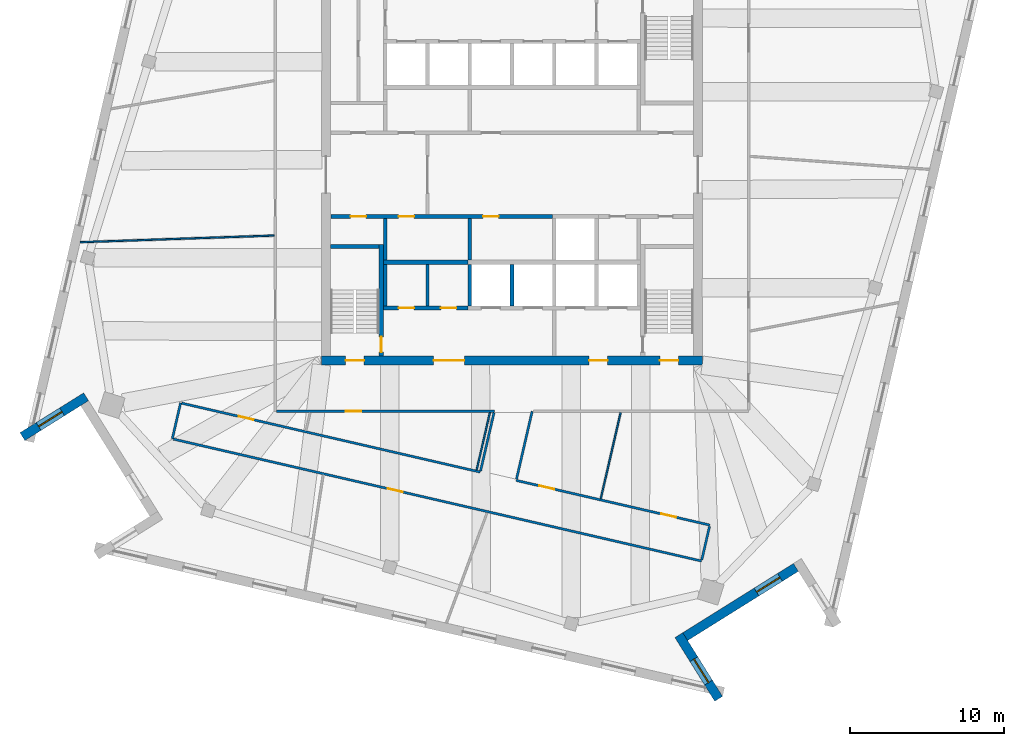
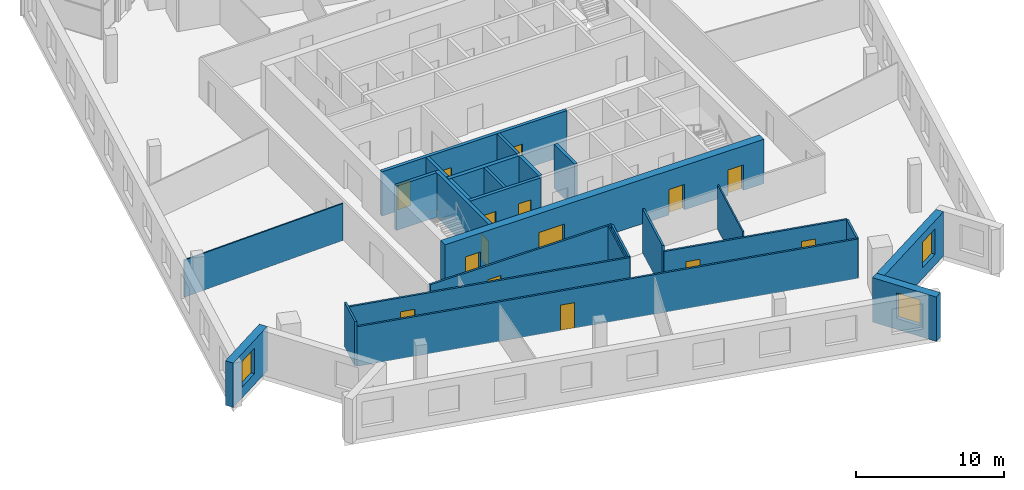
# One storey, part 6 of 14: 26 walls, 15 doors, 3 windows, 18 openings.
"""IFC4 building model written with IfcOpenShell, lengths in metres."""

from ifc_helpers import new_model, si_unit, direction, frame, frame_2d, origin, place, context, subcontext, project, spatial, rectangle, extrude, material, layer, layer_set, type_object, element, fill, save


model = new_model("IFC4")

# Units and contexts
model_context = context("Model", 3, precision=1e-05, world=origin(), true_north=direction((0.0, 1.0)))
body_context = subcontext(model_context, "Body", "Model", "MODEL_VIEW")
ifc_project = project(units=[si_unit("LENGTHUNIT", "METRE"), si_unit("AREAUNIT", "SQUARE_METRE"), si_unit("VOLUMEUNIT", "CUBIC_METRE"), si_unit("PLANEANGLEUNIT", "RADIAN"), si_unit("MASSUNIT", "GRAM", prefix="KILO")], contexts=[model_context])

# Site, building, storey
site_placement = place(None, origin())
site = spatial("IfcSite", under=ifc_project, at=site_placement, CompositionType="ELEMENT")
building_placement = place(site_placement, origin())
building = spatial("IfcBuilding", under=site, at=building_placement, Name="Dilmun Exchange Tower", CompositionType="ELEMENT")
storey_placement = place(building_placement, frame((0.0, 0.0, 336.5)))
storey = spatial("IfcBuildingStorey", under=building, at=storey_placement, Name="L80", CompositionType="ELEMENT", Elevation=336.5)

# Walls
ifc_material_1 = material(Name="Concrete C40/50", Category="concrete")
ifc_layer_1 = layer(ifc_material_1, 0.199951171875)
ifc_layer_set_1 = layer_set([ifc_layer_1], Name="Concrete C40/50")
wall_type_1 = type_object("IfcWallType", Name="Core partition wall 200", PredefinedType="PARTITIONING", material=ifc_layer_set_1)
for number, where, z_axis, x_axis, name in (
    (1, (-5.5, -8.544921875, 0.0), (0.0, 0.0, 1.0), (0.0, 1.0, 0.0), "L80 core partition wall 04"),
    (2, (-2.75, -5.544921875, 0.0), (0.0, 0.0, 1.0), (0.0, 1.0, 0.0), "L80 core partition wall 07"),
):
    element("IfcWall", number, at=place(storey_placement, frame(where, z_axis=z_axis, x_axis=x_axis)), inside=storey, type_object=wall_type_1, Name=name, PredefinedType="PARTITIONING", context=body_context, shape_type="SweptSolid", body=[
        extrude(rectangle(XDim=2.68994140625, YDim=0.199951171875, at=frame_2d((1.344970703125, 0.0))), origin(), (0.0, 0.0, 1.0), 3.64990234375),
    ])

# Wall, openings, doors
ifc_layer_2 = layer(ifc_material_1, 0.25)
ifc_layer_set_2 = layer_set([ifc_layer_2], Name="Concrete C40/50")
wall_type_2 = type_object("IfcWallType", Name="Core partition wall 250", PredefinedType="PARTITIONING", material=ifc_layer_set_2)
wall_1_placement = place(storey_placement, frame((-8.3701171875, -8.675048828125, 0.0), z_axis=(0.0, 0.0, 1.0), x_axis=(1.0, 0.0, 0.0)))
wall_1 = element("IfcWall", 3, at=wall_1_placement, inside=storey, type_object=wall_type_2, Name="L80 core partition wall 02", PredefinedType="PARTITIONING", context=body_context, shape_type="SweptSolid", body=[
    extrude(rectangle(XDim=5.490234375, YDim=0.25, at=frame_2d((2.7451171875, 0.0))), origin(), (0.0, 0.0, 1.0), 3.64990234375),
])
opening_1_placement = place(wall_1_placement, frame((0.9951171875, 0.0, 0.0)))
opening_1 = element("IfcOpeningElement", 4, at=opening_1_placement, cuts=wall_1, Name="Opening CD4", PredefinedType="OPENING", context=body_context, shape_type="SweptSolid", body=[
    extrude(rectangle(XDim=1.0, YDim=2.10009765625, at=frame_2d((0.5, 1.050048828125))), frame((0.0, 0.135009765625, 0.0), z_axis=(0.0, -1.0, 0.0), x_axis=(1.0, 0.0, 0.0)), (0.0, 0.0, 1.0), 0.27001953125),
])
opening_2_placement = place(wall_1_placement, frame((3.7451171875, 0.0, 0.0)))
opening_2 = element("IfcOpeningElement", 5, at=opening_2_placement, cuts=wall_1, Name="Opening CD4", PredefinedType="OPENING", context=body_context, shape_type="SweptSolid", body=[
    extrude(rectangle(XDim=1.0, YDim=2.10009765625, at=frame_2d((0.5, 1.050048828125))), frame((0.0, 0.135009765625, 0.0), z_axis=(0.0, -1.0, 0.0), x_axis=(1.0, 0.0, 0.0)), (0.0, 0.0, 1.0), 0.27001953125),
])
ifc_material_2 = material(Name="Fire-rated steel door set", Category="steel")
door_type_1 = type_object("IfcDoorType", Name="Core room door 1000x2100", OperationType="SINGLE_SWING_LEFT", PredefinedType="DOOR", material=ifc_material_2)
door_1_placement = place(opening_1_placement, origin())
door_1 = element("IfcDoor", 6, at=door_1_placement, inside=storey, type_object=door_type_1, Name="L80 door Male WC", OperationType="SINGLE_SWING_LEFT", OverallHeight=2.10009765625, OverallWidth=1.0, PredefinedType="DOOR", context=body_context, shape_type="SweptSolid", body=[
    extrude(rectangle(XDim=1.0, YDim=2.10009765625, at=frame_2d((0.5, 1.050048828125))), frame((0.0, 0.02490234375, 0.0), z_axis=(0.0, -1.0, 0.0), x_axis=(1.0, 0.0, 0.0)), (0.0, 0.0, 1.0), 0.050048828125),
])
fill(opening_1, door_1)
door_2_placement = place(opening_2_placement, origin())
door_2 = element("IfcDoor", 7, at=door_2_placement, inside=storey, type_object=door_type_1, Name="L80 door Female WC", OperationType="SINGLE_SWING_LEFT", OverallHeight=2.10009765625, OverallWidth=1.0, PredefinedType="DOOR", context=body_context, shape_type="SweptSolid", body=[
    extrude(rectangle(XDim=1.0, YDim=2.10009765625, at=frame_2d((0.5, 1.050048828125))), frame((0.0, 0.02490234375, 0.0), z_axis=(0.0, -1.0, 0.0), x_axis=(1.0, 0.0, 0.0)), (0.0, 0.0, 1.0), 0.050048828125),
])
fill(opening_2, door_2)

# Walls
for number, where, z_axis, x_axis, name in (
    (8, (-8.25, -8.544921875, 0.0), (0.0, 0.0, 1.0), (0.0, 1.0, 0.0), "L80 core partition wall 03"),
    (9, (-8.25, -5.544921875, 0.0), (0.0, 0.0, 1.0), (0.0, 1.0, 0.0), "L80 core partition wall 06"),
):
    element("IfcWall", number, at=place(storey_placement, frame(where, z_axis=z_axis, x_axis=x_axis)), inside=storey, type_object=wall_type_2, Name=name, PredefinedType="PARTITIONING", context=body_context, shape_type="SweptSolid", body=[
        extrude(rectangle(XDim=2.68994140625, YDim=0.25, at=frame_2d((1.344970703125, 0.0))), origin(), (0.0, 0.0, 1.0), 3.64990234375),
    ])

# Wall, openings, doors
wall_2_placement = place(storey_placement, frame((-11.794921875, -2.72509765625, 0.0), z_axis=(0.0, 0.0, 1.0), x_axis=(1.0, 0.0, 0.0)))
wall_2 = element("IfcWall", 10, at=wall_2_placement, inside=storey, type_object=wall_type_2, Name="L80 core partition wall 09", PredefinedType="PARTITIONING", context=body_context, shape_type="SweptSolid", body=[
    extrude(rectangle(XDim=14.4150390625, YDim=0.25, at=frame_2d((7.20751953125, 0.0))), origin(), (0.0, 0.0, 1.0), 3.64990234375),
])
opening_3_placement = place(wall_2_placement, frame((1.294921875, 0.0, 0.0)))
opening_3 = element("IfcOpeningElement", 11, at=opening_3_placement, cuts=wall_2, Name="Opening CD4", PredefinedType="OPENING", context=body_context, shape_type="SweptSolid", body=[
    extrude(rectangle(XDim=1.0, YDim=2.10009765625, at=frame_2d((0.5, 1.050048828125))), frame((0.0, 0.135009765625, 0.0), z_axis=(0.0, -1.0, 0.0), x_axis=(1.0, 0.0, 0.0)), (0.0, 0.0, 1.0), 0.27001953125),
])
opening_4_placement = place(wall_2_placement, frame((4.419921875, 0.0, 0.0)))
opening_4 = element("IfcOpeningElement", 12, at=opening_4_placement, cuts=wall_2, Name="Opening CD4", PredefinedType="OPENING", context=body_context, shape_type="SweptSolid", body=[
    extrude(rectangle(XDim=1.0, YDim=2.10009765625, at=frame_2d((0.5, 1.050048828125))), frame((0.0, 0.135009765625, 0.0), z_axis=(0.0, -1.0, 0.0), x_axis=(1.0, 0.0, 0.0)), (0.0, 0.0, 1.0), 0.27001953125),
])
opening_5_placement = place(wall_2_placement, frame((9.919921875, 0.0, 0.0)))
opening_5 = element("IfcOpeningElement", 13, at=opening_5_placement, cuts=wall_2, Name="Opening CD4", PredefinedType="OPENING", context=body_context, shape_type="SweptSolid", body=[
    extrude(rectangle(XDim=1.0, YDim=2.10009765625, at=frame_2d((0.5, 1.050048828125))), frame((0.0, 0.135009765625, 0.0), z_axis=(0.0, -1.0, 0.0), x_axis=(1.0, 0.0, 0.0)), (0.0, 0.0, 1.0), 0.27001953125),
])
door_3_placement = place(opening_3_placement, origin())
door_3 = element("IfcDoor", 14, at=door_3_placement, inside=storey, type_object=door_type_1, Name="L80 door Accessible WC", OperationType="SINGLE_SWING_LEFT", OverallHeight=2.10009765625, OverallWidth=1.0, PredefinedType="DOOR", context=body_context, shape_type="SweptSolid", body=[
    extrude(rectangle(XDim=1.0, YDim=2.10009765625, at=frame_2d((0.5, 1.050048828125))), frame((0.0, 0.02490234375, 0.0), z_axis=(0.0, -1.0, 0.0), x_axis=(1.0, 0.0, 0.0)), (0.0, 0.0, 1.0), 0.050048828125),
])
fill(opening_3, door_3)
door_4_placement = place(opening_4_placement, origin())
door_4 = element("IfcDoor", 15, at=door_4_placement, inside=storey, type_object=door_type_1, Name="L80 door Switch room", OperationType="SINGLE_SWING_LEFT", OverallHeight=2.10009765625, OverallWidth=1.0, PredefinedType="DOOR", context=body_context, shape_type="SweptSolid", body=[
    extrude(rectangle(XDim=1.0, YDim=2.10009765625, at=frame_2d((0.5, 1.050048828125))), frame((0.0, 0.02490234375, 0.0), z_axis=(0.0, -1.0, 0.0), x_axis=(1.0, 0.0, 0.0)), (0.0, 0.0, 1.0), 0.050048828125),
])
fill(opening_4, door_4)
door_5_placement = place(opening_5_placement, origin())
door_5 = element("IfcDoor", 16, at=door_5_placement, inside=storey, type_object=door_type_1, Name="L80 door Print and mail room", OperationType="SINGLE_SWING_LEFT", OverallHeight=2.10009765625, OverallWidth=1.0, PredefinedType="DOOR", context=body_context, shape_type="SweptSolid", body=[
    extrude(rectangle(XDim=1.0, YDim=2.10009765625, at=frame_2d((0.5, 1.050048828125))), frame((0.0, 0.02490234375, 0.0), z_axis=(0.0, -1.0, 0.0), x_axis=(1.0, 0.0, 0.0)), (0.0, 0.0, 1.0), 0.050048828125),
])
fill(opening_5, door_5)

# Wall
ifc_layer_3 = layer(ifc_material_1, 0.300048828125)
ifc_layer_set_3 = layer_set([ifc_layer_3], Name="Concrete C40/50")
wall_type_3 = type_object("IfcWallType", Name="Core partition wall 300", PredefinedType="PARTITIONING", material=ifc_layer_set_3)
wall_3_placement = place(storey_placement, frame((-8.35009765625, -5.699951171875, 0.0), z_axis=(0.0, 0.0, 1.0), x_axis=(1.0, 0.0, 0.0)))
element("IfcWall", 17, at=wall_3_placement, inside=storey, type_object=wall_type_3, Name="L80 core partition wall 05", PredefinedType="PARTITIONING", context=body_context, shape_type="SweptSolid", body=[
    extrude(rectangle(XDim=5.47021484375, YDim=0.300048828125, at=frame_2d((2.735107421875, 0.0))), origin(), (0.0, 0.0, 1.0), 3.64990234375),
])

# Wall, openings, doors
ifc_material_3 = material(Name="Concrete C50/60", Category="concrete")
ifc_layer_4 = layer(ifc_material_3, 0.60009765625)
ifc_layer_set_4 = layer_set([ifc_layer_4], Name="Concrete C50/60")
wall_type_4 = type_object("IfcWallType", Name="Core shear wall 600 Concrete C50/60", PredefinedType="SHEAR", material=ifc_layer_set_4)
wall_4_placement = place(storey_placement, frame((-12.39990234375, -12.10009765625, 0.0), z_axis=(0.0, 0.0, 1.0), x_axis=(1.0, 0.0, 0.0)))
wall_4 = element("IfcWall", 18, at=wall_4_placement, inside=storey, type_object=wall_type_4, Name="L80 core shear wall S", PredefinedType="SHEAR", context=body_context, shape_type="SweptSolid", body=[
    extrude(rectangle(XDim=24.7998046875, YDim=0.60009765625, at=frame_2d((12.39990234375, 0.0))), origin(), (0.0, 0.0, 1.0), 3.64990234375),
])
opening_6_placement = place(wall_4_placement, frame((7.300048828125, 0.0, 0.0)))
opening_6 = element("IfcOpeningElement", 19, at=opening_6_placement, cuts=wall_4, Name="Opening CD2", PredefinedType="OPENING", context=body_context, shape_type="SweptSolid", body=[
    extrude(rectangle(XDim=2.0, YDim=2.10009765625, at=frame_2d((1.0, 1.050048828125))), frame((0.0, 0.31005859375, 0.0), z_axis=(0.0, -1.0, 0.0), x_axis=(1.0, 0.0, 0.0)), (0.0, 0.0, 1.0), 0.6201171875),
])
opening_7_placement = place(wall_4_placement, frame((17.425048828125, 0.0, 0.0)))
opening_7 = element("IfcOpeningElement", 20, at=opening_7_placement, cuts=wall_4, Name="Opening CD3", PredefinedType="OPENING", context=body_context, shape_type="SweptSolid", body=[
    extrude(rectangle(XDim=1.199951171875, YDim=2.10009765625, at=frame_2d((0.60009765625, 1.050048828125))), frame((0.0, 0.31005859375, 0.0), z_axis=(0.0, -1.0, 0.0), x_axis=(1.0, 0.0, 0.0)), (0.0, 0.0, 1.0), 0.6201171875),
])
opening_8_placement = place(wall_4_placement, frame((1.574951171875, 0.0, 0.0)))
opening_8 = element("IfcOpeningElement", 21, at=opening_8_placement, cuts=wall_4, Name="Opening CD3", PredefinedType="OPENING", context=body_context, shape_type="SweptSolid", body=[
    extrude(rectangle(XDim=1.199951171875, YDim=2.10009765625, at=frame_2d((0.60009765625, 1.050048828125))), frame((0.0, 0.31005859375, 0.0), z_axis=(0.0, -1.0, 0.0), x_axis=(1.0, 0.0, 0.0)), (0.0, 0.0, 1.0), 0.6201171875),
])
opening_9_placement = place(wall_4_placement, frame((22.02490234375, 0.0, 0.0)))
opening_9 = element("IfcOpeningElement", 22, at=opening_9_placement, cuts=wall_4, Name="Opening CD3", PredefinedType="OPENING", context=body_context, shape_type="SweptSolid", body=[
    extrude(rectangle(XDim=1.199951171875, YDim=2.10009765625, at=frame_2d((0.60009765625, 1.050048828125))), frame((0.0, 0.31005859375, 0.0), z_axis=(0.0, -1.0, 0.0), x_axis=(1.0, 0.0, 0.0)), (0.0, 0.0, 1.0), 0.6201171875),
])
door_type_2 = type_object("IfcDoorType", Name="Core service door 2000x2100", OperationType="DOUBLE_DOOR_DOUBLE_SWING", PredefinedType="DOOR", material=ifc_material_2)
door_6_placement = place(opening_6_placement, origin())
door_6 = element("IfcDoor", 23, at=door_6_placement, inside=storey, type_object=door_type_2, Name="L80 door South service lobby", OperationType="SINGLE_SWING_LEFT", OverallHeight=2.10009765625, OverallWidth=2.0, PredefinedType="DOOR", context=body_context, shape_type="SweptSolid", body=[
    extrude(rectangle(XDim=2.0, YDim=2.10009765625, at=frame_2d((1.0, 1.050048828125))), frame((0.0, 0.02490234375, 0.0), z_axis=(0.0, -1.0, 0.0), x_axis=(1.0, 0.0, 0.0)), (0.0, 0.0, 1.0), 0.050048828125),
])
fill(opening_6, door_6)
door_type_3 = type_object("IfcDoorType", Name="Stair exit door 1200x2100", OperationType="SINGLE_SWING_LEFT", PredefinedType="DOOR", material=ifc_material_2)
door_7_placement = place(opening_7_placement, origin())
door_7 = element("IfcDoor", 24, at=door_7_placement, inside=storey, type_object=door_type_3, Name="L80 door Fire-fighting lobby", OperationType="SINGLE_SWING_LEFT", OverallHeight=2.10009765625, OverallWidth=1.199951171875, PredefinedType="DOOR", context=body_context, shape_type="SweptSolid", body=[
    extrude(rectangle(XDim=1.199951171875, YDim=2.10009765625, at=frame_2d((0.60009765625, 1.050048828125))), frame((0.0, 0.02490234375, 0.0), z_axis=(0.0, -1.0, 0.0), x_axis=(1.0, 0.0, 0.0)), (0.0, 0.0, 1.0), 0.050048828125),
])
fill(opening_7, door_7)
door_8_placement = place(opening_8_placement, origin())
door_8 = element("IfcDoor", 25, at=door_8_placement, inside=storey, type_object=door_type_3, Name="L80 door Stair ST2", OperationType="SINGLE_SWING_LEFT", OverallHeight=2.10009765625, OverallWidth=1.199951171875, PredefinedType="DOOR", context=body_context, shape_type="SweptSolid", body=[
    extrude(rectangle(XDim=1.199951171875, YDim=2.10009765625, at=frame_2d((0.60009765625, 1.050048828125))), frame((0.0, 0.02490234375, 0.0), z_axis=(0.0, -1.0, 0.0), x_axis=(1.0, 0.0, 0.0)), (0.0, 0.0, 1.0), 0.050048828125),
])
fill(opening_8, door_8)
door_9_placement = place(opening_9_placement, origin())
door_9 = element("IfcDoor", 26, at=door_9_placement, inside=storey, type_object=door_type_3, Name="L80 door Stair ST3", OperationType="SINGLE_SWING_LEFT", OverallHeight=2.10009765625, OverallWidth=1.199951171875, PredefinedType="DOOR", context=body_context, shape_type="SweptSolid", body=[
    extrude(rectangle(XDim=1.199951171875, YDim=2.10009765625, at=frame_2d((0.60009765625, 1.050048828125))), frame((0.0, 0.02490234375, 0.0), z_axis=(0.0, -1.0, 0.0), x_axis=(1.0, 0.0, 0.0)), (0.0, 0.0, 1.0), 0.050048828125),
])
fill(opening_9, door_9)

# Wall
ifc_material_4 = material(Name="Corridor wall 150")
ifc_layer_5 = layer(ifc_material_4, 0.14990234375)
ifc_layer_set_5 = layer_set([ifc_layer_5], Name="Corridor wall 150")
wall_type_5 = type_object("IfcWallType", Name="Corridor wall 150", PredefinedType="PARTITIONING", material=ifc_layer_set_5)
wall_5_placement = place(storey_placement, frame((-22.110107421875, -17.193115234375, 0.0), z_axis=(0.0, 0.0, 1.0), x_axis=(0.225045260861, 0.9743483107, 0.0)))
element("IfcWall", 27, at=wall_5_placement, inside=storey, type_object=wall_type_5, Name="Corridor wall", PredefinedType="PARTITIONING", context=body_context, shape_type="SweptSolid", body=[
    extrude(rectangle(XDim=2.399658203125, YDim=0.14990234375, at=frame_2d((1.19970703125, 0.0))), origin(), (0.0, 0.0, 1.0), 3.64990234375),
])

# Wall, opening, door
wall_6_placement = place(storey_placement, frame((-22.036865234375, -17.2099609375, 0.0), z_axis=(0.0, 0.0, 1.0), x_axis=(0.974365877869, -0.224969189101, 0.0)))
wall_6 = element("IfcWall", 28, at=wall_6_placement, inside=storey, type_object=wall_type_5, Name="Corridor wall", PredefinedType="PARTITIONING", context=body_context, shape_type="SweptSolid", body=[
    extrude(rectangle(XDim=35.276123046875, YDim=0.14990234375, at=frame_2d((17.63818359375, 0.0))), origin(), (0.0, 0.0, 1.0), 3.25),
])
opening_10_placement = place(wall_6_placement, frame((14.316650390625, 0.0, 0.0)))
opening_10 = element("IfcOpeningElement", 29, at=opening_10_placement, cuts=wall_6, Name="Opening TF79-D06", PredefinedType="OPENING", context=body_context, shape_type="SweptSolid", body=[
    extrude(rectangle(XDim=1.0, YDim=2.10009765625, at=frame_2d((0.5, 1.050048828125))), frame((0.0, 0.0849609375, 0.0), z_axis=(0.0, -1.0, 0.0), x_axis=(1.0, 0.0, 0.0)), (0.0, 0.0, 1.0), 0.169921875),
])
ifc_material_5 = material(Name="Fire door 1000 x 2100")
door_type_4 = type_object("IfcDoorType", Name="Fire door 1000 x 2100", OperationType="NOTDEFINED", PredefinedType="DOOR", material=ifc_material_5)
door_10_placement = place(opening_10_placement, frame((1.0, 0.0, 0.0), z_axis=(0.0, 0.0, 1.0), x_axis=(-1.0, 0.0, 0.0)))
door_10 = element("IfcDoor", 30, at=door_10_placement, inside=storey, type_object=door_type_4, Name="Door TF79-D06", OperationType="SINGLE_SWING_LEFT", OverallHeight=2.10009765625, OverallWidth=1.0, PredefinedType="DOOR", context=body_context, shape_type="SweptSolid", body=[
    extrude(rectangle(XDim=1.0, YDim=2.10009765625, at=frame_2d((0.5, 1.050048828125))), frame((0.0, 0.02490234375, 0.0), z_axis=(0.0, -1.0, 0.0), x_axis=(1.0, 0.0, 0.0)), (0.0, 0.0, 1.0), 0.050048828125),
])
fill(opening_10, door_10)

wall_7_placement = place(storey_placement, frame((-21.496826171875, -14.871826171875, 0.0), z_axis=(0.0, 0.0, 1.0), x_axis=(0.974371384758, -0.224945336838, 0.0)))
wall_7 = element("IfcWall", 31, at=wall_7_placement, inside=storey, type_object=wall_type_5, Name="Corridor wall", PredefinedType="PARTITIONING", context=body_context, shape_type="SweptSolid", body=[
    extrude(rectangle(XDim=19.943115234375, YDim=0.14990234375, at=frame_2d((9.9716796875, 0.0))), origin(), (0.0, 0.0, 1.0), 3.25),
])
opening_11_placement = place(wall_7_placement, frame((3.800048828125, 0.0, 0.0)))
opening_11 = element("IfcOpeningElement", 32, at=opening_11_placement, cuts=wall_7, Name="Opening TF79-D03", PredefinedType="OPENING", context=body_context, shape_type="SweptSolid", body=[
    extrude(rectangle(XDim=1.0, YDim=2.10009765625, at=frame_2d((0.5, 1.050048828125))), frame((0.0, 0.0849609375, 0.0), z_axis=(0.0, -1.0, 0.0), x_axis=(1.0, 0.0, 0.0)), (0.0, 0.0, 1.0), 0.169921875),
])
door_11_placement = place(opening_11_placement, origin())
door_11 = element("IfcDoor", 33, at=door_11_placement, inside=storey, type_object=door_type_4, Name="Door TF79-D03", OperationType="SINGLE_SWING_LEFT", OverallHeight=2.10009765625, OverallWidth=1.0, PredefinedType="DOOR", context=body_context, shape_type="SweptSolid", body=[
    extrude(rectangle(XDim=1.0, YDim=2.10009765625, at=frame_2d((0.5, 1.050048828125))), frame((0.0, 0.02490234375, 0.0), z_axis=(0.0, -1.0, 0.0), x_axis=(1.0, 0.0, 0.0)), (0.0, 0.0, 1.0), 0.050048828125),
])
fill(opening_11, door_11)

wall_8_placement = place(storey_placement, frame((-15.324951171875, -15.39990234375, 0.0), z_axis=(0.0, 0.0, 1.0), x_axis=(1.0, 0.0, 0.0)))
wall_8 = element("IfcWall", 34, at=wall_8_placement, inside=storey, type_object=wall_type_5, Name="Corridor wall", PredefinedType="PARTITIONING", context=body_context, shape_type="SweptSolid", body=[
    extrude(rectangle(XDim=14.174072265625, YDim=0.14990234375, at=frame_2d((7.0869140625, 0.0))), origin(), (0.0, 0.0, 1.0), 3.25),
])
opening_12_placement = place(wall_8_placement, frame((4.498779296875, 0.0, 0.0)))
opening_12 = element("IfcOpeningElement", 35, at=opening_12_placement, cuts=wall_8, Name="Opening TF79-D08", PredefinedType="OPENING", context=body_context, shape_type="SweptSolid", body=[
    extrude(rectangle(XDim=1.0, YDim=2.10009765625, at=frame_2d((0.5, 1.050048828125))), frame((0.0, 0.0849609375, 0.0), z_axis=(0.0, -1.0, 0.0), x_axis=(1.0, 0.0, 0.0)), (0.0, 0.0, 1.0), 0.169921875),
])
door_12_placement = place(opening_12_placement, frame((1.0, 0.0, 0.0), z_axis=(0.0, 0.0, 1.0), x_axis=(-1.0, 0.0, 0.0)))
door_12 = element("IfcDoor", 36, at=door_12_placement, inside=storey, type_object=door_type_4, Name="Door TF79-D08", OperationType="SINGLE_SWING_RIGHT", OverallHeight=2.10009765625, OverallWidth=1.0, PredefinedType="DOOR", context=body_context, shape_type="SweptSolid", body=[
    extrude(rectangle(XDim=1.0, YDim=2.10009765625, at=frame_2d((0.5, 1.050048828125))), frame((0.0, 0.02490234375, 0.0), z_axis=(0.0, -1.0, 0.0), x_axis=(1.0, 0.0, 0.0)), (0.0, 0.0, 1.0), 0.050048828125),
])
fill(opening_12, door_12)

# Wall
wall_9_placement = place(storey_placement, frame((-2.048095703125, -19.284912109375, 0.0), z_axis=(0.0, 0.0, 1.0), x_axis=(0.225024396784, 0.974353129441, 0.0)))
element("IfcWall", 37, at=wall_9_placement, inside=storey, type_object=wall_type_5, Name="Corridor wall", PredefinedType="PARTITIONING", context=body_context, shape_type="SweptSolid", body=[
    extrude(rectangle(XDim=3.892822265625, YDim=0.14990234375, at=frame_2d((1.9462890625, 0.0))), origin(), (0.0, 0.0, 1.0), 3.25),
])

# Wall, openings, doors
wall_10_placement = place(storey_placement, frame((0.27392578125, -19.89794921875, 0.0), z_axis=(0.0, 0.0, 1.0), x_axis=(0.974374329931, -0.224932579167, 0.0)))
wall_10 = element("IfcWall", 38, at=wall_10_placement, inside=storey, type_object=wall_type_5, Name="Corridor wall", PredefinedType="PARTITIONING", context=body_context, shape_type="SweptSolid", body=[
    extrude(rectangle(XDim=12.932373046875, YDim=0.14990234375, at=frame_2d((6.46630859375, 0.0))), origin(), (0.0, 0.0, 1.0), 3.25),
])
opening_13_placement = place(wall_10_placement, frame((1.550048828125, 0.0, 0.0)))
opening_13 = element("IfcOpeningElement", 39, at=opening_13_placement, cuts=wall_10, Name="Opening TF79-D11", PredefinedType="OPENING", context=body_context, shape_type="SweptSolid", body=[
    extrude(rectangle(XDim=1.0, YDim=2.10009765625, at=frame_2d((0.5, 1.050048828125))), frame((0.0, 0.0849609375, 0.0), z_axis=(0.0, -1.0, 0.0), x_axis=(1.0, 0.0, 0.0)), (0.0, 0.0, 1.0), 0.169921875),
])
opening_14_placement = place(wall_10_placement, frame((9.679443359375, 0.0, 0.0)))
opening_14 = element("IfcOpeningElement", 40, at=opening_14_placement, cuts=wall_10, Name="Opening TF79-D16", PredefinedType="OPENING", context=body_context, shape_type="SweptSolid", body=[
    extrude(rectangle(XDim=1.0, YDim=2.10009765625, at=frame_2d((0.5, 1.050048828125))), frame((0.0, 0.0849609375, 0.0), z_axis=(0.0, -1.0, 0.0), x_axis=(1.0, 0.0, 0.0)), (0.0, 0.0, 1.0), 0.169921875),
])
door_13_placement = place(opening_13_placement, origin())
door_13 = element("IfcDoor", 41, at=door_13_placement, inside=storey, type_object=door_type_4, Name="Door TF79-D11", OperationType="SINGLE_SWING_RIGHT", OverallHeight=2.10009765625, OverallWidth=1.0, PredefinedType="DOOR", context=body_context, shape_type="SweptSolid", body=[
    extrude(rectangle(XDim=1.0, YDim=2.10009765625, at=frame_2d((0.5, 1.050048828125))), frame((0.0, 0.02490234375, 0.0), z_axis=(0.0, -1.0, 0.0), x_axis=(1.0, 0.0, 0.0)), (0.0, 0.0, 1.0), 0.050048828125),
])
fill(opening_13, door_13)
door_14_placement = place(opening_14_placement, origin())
door_14 = element("IfcDoor", 42, at=door_14_placement, inside=storey, type_object=door_type_4, Name="Door TF79-D16", OperationType="SINGLE_SWING_LEFT", OverallHeight=2.10009765625, OverallWidth=1.0, PredefinedType="DOOR", context=body_context, shape_type="SweptSolid", body=[
    extrude(rectangle(XDim=1.0, YDim=2.10009765625, at=frame_2d((0.5, 1.050048828125))), frame((0.0, 0.02490234375, 0.0), z_axis=(0.0, -1.0, 0.0), x_axis=(1.0, 0.0, 0.0)), (0.0, 0.0, 1.0), 0.050048828125),
])
fill(opening_14, door_14)

# Walls
wall_11_placement = place(storey_placement, frame((0.291015625, -19.824951171875, 0.0), z_axis=(0.0, 0.0, 1.0), x_axis=(0.224824169945, 0.974399349655, 0.0)))
element("IfcWall", 43, at=wall_11_placement, inside=storey, type_object=wall_type_5, Name="Corridor wall", PredefinedType="PARTITIONING", context=body_context, shape_type="SweptSolid", body=[
    extrude(rectangle(XDim=4.541259765625, YDim=0.14990234375, at=frame_2d((2.2705078125, 0.0))), origin(), (0.0, 0.0, 1.0), 3.64990234375),
])
wall_12_placement = place(storey_placement, frame((12.351806640625, -25.072998046875, 0.0), z_axis=(0.0, 0.0, 1.0), x_axis=(0.224986267236, 0.974361934578, 0.0)))
element("IfcWall", 44, at=wall_12_placement, inside=storey, type_object=wall_type_5, Name="Corridor wall", PredefinedType="PARTITIONING", context=body_context, shape_type="SweptSolid", body=[
    extrude(rectangle(XDim=2.25048828125, YDim=0.14990234375, at=frame_2d((1.125244140625, 0.0))), origin(), (0.0, 0.0, 1.0), 3.25),
])
ifc_layer_6 = layer(ifc_material_1, 0.25)
ifc_layer_set_6 = layer_set([ifc_layer_6], Name="Concrete C40/50")
wall_type_6 = type_object("IfcWallType", Name="Lift shaft wall 250", PredefinedType="SOLIDWALL", material=ifc_layer_set_6)
for number, where, z_axis, x_axis, name in (
    (45, (-2.75, -8.550048828125, 0.0), (0.0, 0.0, 1.0), (0.0, 1.0, 0.0), "L80 lift shaft divider S22"),
    (46, (0.0, -8.550048828125, 0.0), (0.0, 0.0, 1.0), (0.0, 1.0, 0.0), "L80 lift shaft divider S23"),
):
    element("IfcWall", number, at=place(storey_placement, frame(where, z_axis=z_axis, x_axis=x_axis)), inside=storey, type_object=wall_type_6, Name=name, PredefinedType="SOLIDWALL", context=body_context, shape_type="SweptSolid", body=[
        extrude(rectangle(XDim=2.699951171875, YDim=0.25, at=frame_2d((1.35009765625, 0.0))), origin(), (0.0, 0.0, 1.0), 3.64990234375),
    ])
ifc_material_6 = material(Name="Partition 100")
ifc_layer_7 = layer(ifc_material_6, 0.10009765625)
ifc_layer_set_7 = layer_set([ifc_layer_7], Name="Partition 100")
wall_type_7 = type_object("IfcWallType", Name="Partition 100", PredefinedType="PARTITIONING", material=ifc_layer_set_7)
wall_13_placement = place(storey_placement, frame((-28.10693359375, -4.39453125, 0.0), z_axis=(0.0, 0.0, 1.0), x_axis=(0.999410579242, 0.03432920185, 0.0)))
element("IfcWall", 47, at=wall_13_placement, inside=storey, type_object=wall_type_7, Name="Partition", PredefinedType="PARTITIONING", context=body_context, shape_type="SweptSolid", body=[
    extrude(rectangle(XDim=12.6376953125, YDim=0.10009765625, at=frame_2d((6.31884765625, 0.0))), origin(), (0.0, 0.0, 1.0), 3.050048828125),
])
wall_14_placement = place(storey_placement, frame((-2.302978515625, -19.225830078125, 0.0), z_axis=(0.0, 0.0, 1.0), x_axis=(0.224864152428, 0.974390123592, 0.0)))
element("IfcWall", 48, at=wall_14_placement, inside=storey, type_object=wall_type_7, Name="Partition", PredefinedType="PARTITIONING", context=body_context, shape_type="SweptSolid", body=[
    extrude(rectangle(XDim=3.838134765625, YDim=0.10009765625, at=frame_2d((1.9189453125, 0.0))), origin(), (0.0, 0.0, 1.0), 3.25),
])
wall_15_placement = place(storey_placement, frame((5.77587890625, -21.0908203125, 0.0), z_axis=(0.0, 0.0, 1.0), x_axis=(0.224989694642, 0.974361143162, 0.0)))
element("IfcWall", 49, at=wall_15_placement, inside=storey, type_object=wall_type_7, Name="Partition", PredefinedType="PARTITIONING", context=body_context, shape_type="SweptSolid", body=[
    extrude(rectangle(XDim=5.752197265625, YDim=0.10009765625, at=frame_2d((2.8759765625, 0.0))), origin(), (0.0, 0.0, 1.0), 3.64990234375),
])

# Wall, opening, window
ifc_material_7 = material(Name="Precast concrete C50/60", Category="concrete")
ifc_layer_8 = layer(ifc_material_7, 0.60009765625)
ifc_layer_set_8 = layer_set([ifc_layer_8], Name="Precast concrete C50/60")
wall_type_8 = type_object("IfcWallType", Name="Precast stone-clad wall 600", PredefinedType="STANDARD", material=ifc_layer_set_8)
wall_16_placement = place(storey_placement, frame((-31.863525390625, -17.046630859375, 0.0), z_axis=(0.0, 0.0, 1.0), x_axis=(0.848062867364, 0.529895624626, 0.0)))
wall_16 = element("IfcWall", 50, at=wall_16_placement, inside=storey, type_object=wall_type_8, Name="Facade wall L80-04", PredefinedType="STANDARD", context=body_context, shape_type="SweptSolid", body=[
    extrude(rectangle(XDim=4.885498046875, YDim=0.60009765625, at=frame_2d((2.44287109375, 0.0))), origin(), (0.0, 0.0, 1.0), 3.64990234375),
])
opening_15_placement = place(wall_16_placement, frame((1.242919921875, 0.0, 0.89990234375)))
opening_15 = element("IfcOpeningElement", 51, at=opening_15_placement, cuts=wall_16, Name="Opening W180-210", PredefinedType="OPENING", context=body_context, shape_type="SweptSolid", body=[
    extrude(rectangle(XDim=1.800048828125, YDim=2.10009765625, at=frame_2d((0.89990234375, 1.050048828125))), frame((0.0, 0.31005859375, 0.0), z_axis=(0.0, -1.0, 0.0), x_axis=(1.0, 0.0, 0.0)), (0.0, 0.0, 1.0), 0.6201171875),
])
ifc_material_8 = material(Name="Clear low-emissivity glass in aluminium frame", Category="aluminium")
window_type = type_object("IfcWindowType", Name="Punched window 1800 x 2100", PartitioningType="DOUBLE_PANEL_VERTICAL", PredefinedType="WINDOW", material=ifc_material_8)
window_1_placement = place(opening_15_placement, origin())
window_1 = element("IfcWindow", 52, at=window_1_placement, inside=storey, type_object=window_type, Name="Window 5.1", OverallHeight=2.10009765625, OverallWidth=1.800048828125, PartitioningType="SINGLE_PANEL", PredefinedType="WINDOW", context=body_context, shape_type="SweptSolid", body=[
    extrude(rectangle(XDim=1.800048828125, YDim=2.10009765625, at=frame_2d((0.89990234375, 1.050048828125))), frame((0.0, 0.030029296875, 0.0), z_axis=(0.0, -1.0, 0.0), x_axis=(1.0, 0.0, 0.0)), (0.0, 0.0, 1.0), 0.06005859375),
])
fill(opening_15, window_1)

wall_17_placement = place(storey_placement, frame((13.44873046875, -34.11181640625, 0.0), z_axis=(0.0, 0.0, 1.0), x_axis=(-0.529931563086, 0.848040410856, 0.0)))
wall_17 = element("IfcWall", 53, at=wall_17_placement, inside=storey, type_object=wall_type_8, Name="Facade wall L80-08", PredefinedType="STANDARD", context=body_context, shape_type="SweptSolid", body=[
    extrude(rectangle(XDim=4.8857421875, YDim=0.60009765625, at=frame_2d((2.44287109375, 0.0))), origin(), (0.0, 0.0, 1.0), 3.64990234375),
])
opening_16_placement = place(wall_17_placement, frame((1.242919921875, 0.0, 0.89990234375)))
opening_16 = element("IfcOpeningElement", 54, at=opening_16_placement, cuts=wall_17, Name="Opening W180-210", PredefinedType="OPENING", context=body_context, shape_type="SweptSolid", body=[
    extrude(rectangle(XDim=1.800048828125, YDim=2.10009765625, at=frame_2d((0.89990234375, 1.050048828125))), frame((0.0, 0.31005859375, 0.0), z_axis=(0.0, -1.0, 0.0), x_axis=(1.0, 0.0, 0.0)), (0.0, 0.0, 1.0), 0.6201171875),
])
window_2_placement = place(opening_16_placement, origin())
window_2 = element("IfcWindow", 55, at=window_2_placement, inside=storey, type_object=window_type, Name="Window 9.1", OverallHeight=2.10009765625, OverallWidth=1.800048828125, PartitioningType="SINGLE_PANEL", PredefinedType="WINDOW", context=body_context, shape_type="SweptSolid", body=[
    extrude(rectangle(XDim=1.800048828125, YDim=2.10009765625, at=frame_2d((0.89990234375, 1.050048828125))), frame((0.0, 0.030029296875, 0.0), z_axis=(0.0, -1.0, 0.0), x_axis=(1.0, 0.0, 0.0)), (0.0, 0.0, 1.0), 0.06005859375),
])
fill(opening_16, window_2)

wall_18_placement = place(storey_placement, frame((11.273193359375, -30.06396484375, 0.0), z_axis=(0.0, 0.0, 1.0), x_axis=(0.848051550543, 0.529913736019, 0.0)))
wall_18 = element("IfcWall", 56, at=wall_18_placement, inside=storey, type_object=wall_type_8, Name="Facade wall L80-09", PredefinedType="STANDARD", context=body_context, shape_type="SweptSolid", body=[
    extrude(rectangle(XDim=8.499755859375, YDim=0.60009765625, at=frame_2d((4.25, 0.0))), origin(), (0.0, 0.0, 1.0), 3.64990234375),
])
opening_17_placement = place(wall_18_placement, frame((5.47509765625, 0.0, 0.89990234375)))
opening_17 = element("IfcOpeningElement", 57, at=opening_17_placement, cuts=wall_18, Name="Opening W180-210", PredefinedType="OPENING", context=body_context, shape_type="SweptSolid", body=[
    extrude(rectangle(XDim=1.800048828125, YDim=2.10009765625, at=frame_2d((0.89990234375, 1.050048828125))), frame((0.0, 0.31005859375, 0.0), z_axis=(0.0, -1.0, 0.0), x_axis=(1.0, 0.0, 0.0)), (0.0, 0.0, 1.0), 0.6201171875),
])
window_3_placement = place(opening_17_placement, origin())
window_3 = element("IfcWindow", 58, at=window_3_placement, inside=storey, type_object=window_type, Name="Window 10.2", OverallHeight=2.10009765625, OverallWidth=1.800048828125, PartitioningType="SINGLE_PANEL", PredefinedType="WINDOW", context=body_context, shape_type="SweptSolid", body=[
    extrude(rectangle(XDim=1.800048828125, YDim=2.10009765625, at=frame_2d((0.89990234375, 1.050048828125))), frame((0.0, 0.030029296875, 0.0), z_axis=(0.0, -1.0, 0.0), x_axis=(1.0, 0.0, 0.0)), (0.0, 0.0, 1.0), 0.06005859375),
])
fill(opening_17, window_3)

# Wall
ifc_layer_9 = layer(ifc_material_1, 0.25)
ifc_layer_set_9 = layer_set([ifc_layer_9], Name="Concrete C40/50")
wall_type_9 = type_object("IfcWallType", Name="Stair end wall 250", PredefinedType="SOLIDWALL", material=ifc_layer_set_9)
wall_19_placement = place(storey_placement, frame((-8.64990234375, -4.675048828125, 0.0), z_axis=(0.0, 0.0, 1.0), x_axis=(-1.0, 0.0, 0.0)))
element("IfcWall", 59, at=wall_19_placement, inside=storey, type_object=wall_type_9, Name="L80 ST2 far wall", PredefinedType="SOLIDWALL", context=body_context, shape_type="SweptSolid", body=[
    extrude(rectangle(XDim=3.150146484375, YDim=0.25, at=frame_2d((1.5751953125, 0.0))), origin(), (0.0, 0.0, 1.0), 3.64990234375),
])

# Wall, opening, door
ifc_layer_10 = layer(ifc_material_1, 0.27490234375)
ifc_layer_set_10 = layer_set([ifc_layer_10], Name="Concrete C40/50")
wall_type_10 = type_object("IfcWallType", Name="Stair wall 275", PredefinedType="SOLIDWALL", material=ifc_layer_set_10)
wall_20_placement = place(storey_placement, frame((-8.512451171875, -4.550048828125, 0.0), z_axis=(0.0, 0.0, 1.0), x_axis=(0.0, -1.0, 0.0)))
wall_20 = element("IfcWall", 60, at=wall_20_placement, inside=storey, type_object=wall_type_10, Name="L80 ST2 wall to lift block", PredefinedType="SOLIDWALL", context=body_context, shape_type="SweptSolid", body=[
    extrude(rectangle(XDim=7.25, YDim=0.27490234375, at=frame_2d((3.625, 0.0))), origin(), (0.0, 0.0, 1.0), 3.64990234375),
])
opening_18_placement = place(wall_20_placement, frame((6.0, 0.0, 0.0)))
opening_18 = element("IfcOpeningElement", 61, at=opening_18_placement, cuts=wall_20, Name="Opening CD4", PredefinedType="OPENING", context=body_context, shape_type="SweptSolid", body=[
    extrude(rectangle(XDim=1.0, YDim=2.10009765625, at=frame_2d((0.5, 1.050048828125))), frame((0.0, 0.1474609375, 0.0), z_axis=(0.0, -1.0, 0.0), x_axis=(1.0, 0.0, 0.0)), (0.0, 0.0, 1.0), 0.294921875),
])
door_15_placement = place(opening_18_placement, origin())
door_15 = element("IfcDoor", 62, at=door_15_placement, inside=storey, type_object=door_type_1, Name="L80 door ST2 from lobby", OperationType="SINGLE_SWING_LEFT", OverallHeight=2.10009765625, OverallWidth=1.0, PredefinedType="DOOR", context=body_context, shape_type="SweptSolid", body=[
    extrude(rectangle(XDim=1.0, YDim=2.10009765625, at=frame_2d((0.5, 1.050048828125))), frame((0.0, 0.02490234375, 0.0), z_axis=(0.0, -1.0, 0.0), x_axis=(1.0, 0.0, 0.0)), (0.0, 0.0, 1.0), 0.050048828125),
])
fill(opening_18, door_15)

save(model, "model.ifc")
